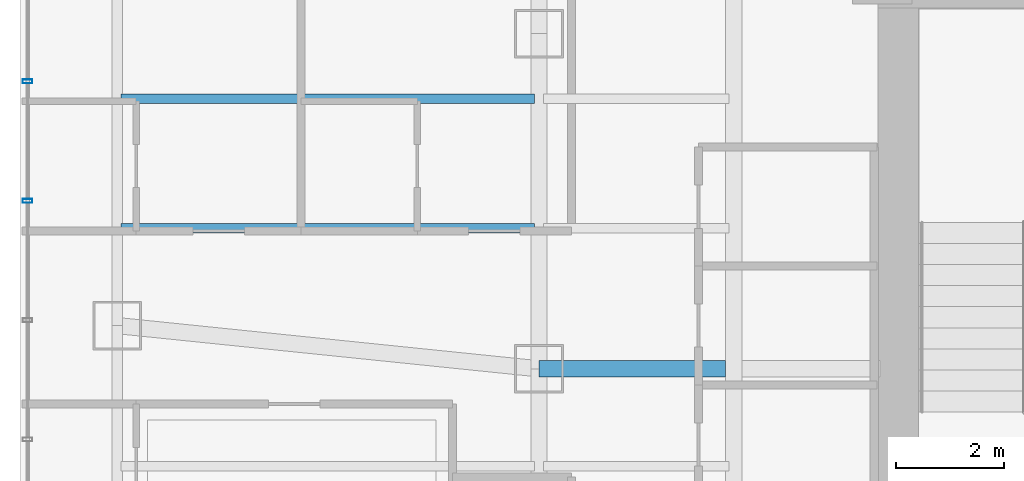
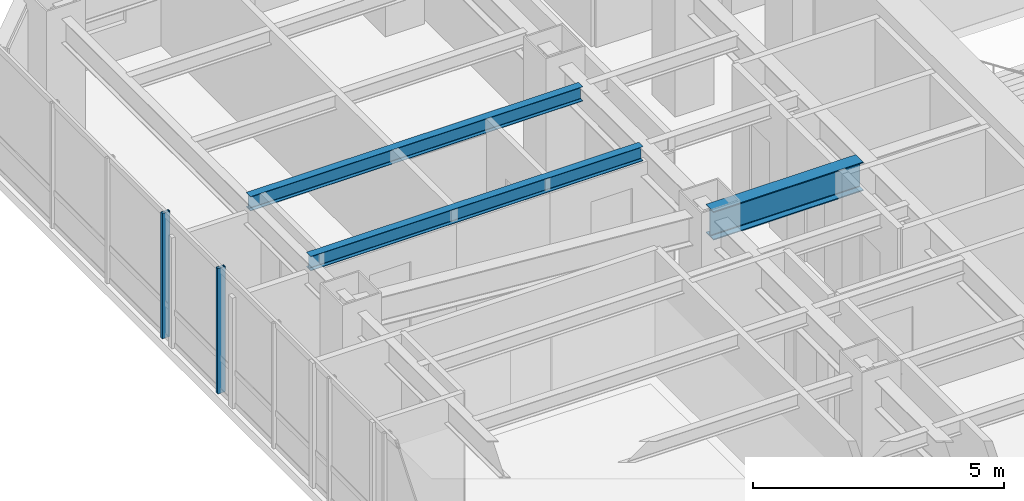
# One storey, part 21 of 36: 3 beams, 2 members, 1 element without a shape of its own.
"""IFC4 building model written with IfcOpenShell, lengths in metres."""

import ifcopenshell
import ifcopenshell.guid

model = None  # the IFC model being written
_history = None  # IfcOwnerHistory: only IFC2X3 demands one
_inside = {}  # id of a spatial element -> (the spatial element, [elements in it])
_under = {}  # id of a project, library or spatial element -> (it, [spatial elements below it])
_declared = {}  # id of a project -> (the project, [libraries it declares])
_typed = {}  # id of a type object -> (the type object, [elements of that type])
_made_of = {}  # id of a material, layer set ... -> (it, [elements and type objects made of it])


def new_model(schema):
    """Start an empty IFC model of exactly this schema.

    Asked for "IFC4X3", IfcOpenShell would pick the latest addendum, in which some entities
    have other attributes; the version numbers below select the first issue.
    IFC2X3 requires an IfcOwnerHistory on every rooted entity: one is made here for all.
    """
    global model, _history
    if schema == "IFC4X3":
        model = ifcopenshell.file(schema_version=(4, 3, 0, 0))
    else:
        model = ifcopenshell.file(schema=schema)
    _inside.clear()
    _under.clear()
    _declared.clear()
    _typed.clear()
    _made_of.clear()
    _history = None
    if model.schema == "IFC2X3":
        org = make("IfcOrganization", Name="unknown")
        user = make(
            "IfcPersonAndOrganization",
            ThePerson=make("IfcPerson", FamilyName="unknown"),
            TheOrganization=org,
        )
        app = make(
            "IfcApplication",
            ApplicationDeveloper=org,
            Version="unknown",
            ApplicationFullName="unknown",
            ApplicationIdentifier="unknown",
        )
        _history = make(
            "IfcOwnerHistory",
            OwningUser=user,
            OwningApplication=app,
            ChangeAction="ADDED",
            CreationDate=0,
        )
    return model


def make(cls, **values):
    """One entity of the class cls with the attributes given. An attribute that is None is left unset."""
    return model.create_entity(
        cls, **{name: value for name, value in values.items() if value is not None}
    )


def rooted(cls, **values):
    """An entity with a GlobalId (a new one), such as an element, a storey or a relation."""
    return make(cls, GlobalId=ifcopenshell.guid.new(), OwnerHistory=_history, **values)


def si_unit(unit_type, name, prefix=None):
    """IfcSIUnit, for example si_unit("LENGTHUNIT", "METRE", prefix="MILLI")."""
    return make("IfcSIUnit", UnitType=unit_type, Prefix=prefix, Name=name)


def assignment(units):
    """IfcUnitAssignment: the units of a project."""
    return None if units is None else make("IfcUnitAssignment", Units=units)


def point(xyz):
    """IfcCartesianPoint."""
    return None if xyz is None else make("IfcCartesianPoint", Coordinates=xyz)


def direction(xyz):
    """IfcDirection."""
    return None if xyz is None else make("IfcDirection", DirectionRatios=xyz)


def frame(location, z_axis=None, x_axis=None):
    """IfcAxis2Placement3D, a coordinate frame: its origin and axes. An axis left out is left unset."""
    return make(
        "IfcAxis2Placement3D",
        Location=point(location),
        Axis=direction(z_axis),
        RefDirection=direction(x_axis),
    )


def frame_2d(location, x_axis=None):
    """IfcAxis2Placement2D, a coordinate frame in the plane: its origin and x axis."""
    return make(
        "IfcAxis2Placement2D", Location=point(location), RefDirection=direction(x_axis)
    )


def origin():
    """The frame at (0, 0, 0) with its axes left unset."""
    return frame((0.0, 0.0, 0.0))


def origin_2d():
    """The frame at (0, 0) in the plane with its x axis left unset."""
    return frame_2d((0.0, 0.0))


def place(relative_to, where):
    """IfcLocalPlacement: puts the frame where relative to a parent placement (None: the world)."""
    return make(
        "IfcLocalPlacement", PlacementRelTo=relative_to, RelativePlacement=where
    )


def context(
    kind, dimensions, precision=None, world=None, true_north=None, identifier=None
):
    """IfcGeometricRepresentationContext, for example the 3D "Model" context."""
    return make(
        "IfcGeometricRepresentationContext",
        ContextIdentifier=identifier,
        ContextType=kind,
        CoordinateSpaceDimension=dimensions,
        Precision=precision,
        WorldCoordinateSystem=world,
        TrueNorth=true_north,
    )


def subcontext(parent, identifier, kind, view, scale=None):
    """IfcGeometricRepresentationSubContext, for example "Body" below "Model"."""
    return make(
        "IfcGeometricRepresentationSubContext",
        ContextIdentifier=identifier,
        ContextType=kind,
        ParentContext=parent,
        TargetScale=scale,
        TargetView=view,
    )


def project(units=None, contexts=None):
    """IfcProject with its units and contexts."""
    return rooted(
        "IfcProject",
        Name="project",
        RepresentationContexts=contexts,
        UnitsInContext=assignment(units),
    )


def spatial(cls, under=None, at=None, **own):
    """A site, building, storey or space (cls), placed at a placement, below another one or the project."""
    s = rooted(cls, ObjectPlacement=at, **own)
    if under is not None:
        _under.setdefault(under.id(), (under, []))[1].append(s)
    return s


def profile(cls, at=None, kind="AREA", **sizes):
    """A parametric profile (cls). Its sizes go by their IFC names, for example OverallWidth=200.0."""
    return make(cls, ProfileType=kind, Position=at, **sizes)


def hollow_rectangle(**sizes):
    """IfcRectangleHollowProfileDef."""
    return profile("IfcRectangleHollowProfileDef", **sizes)


def i_section(**sizes):
    """IfcIShapeProfileDef."""
    return profile("IfcIShapeProfileDef", **sizes)


def extrude(swept, where, along, depth):
    """IfcExtrudedAreaSolid: the profile swept, set in the frame where, extruded along a direction by depth."""
    return make(
        "IfcExtrudedAreaSolid",
        SweptArea=swept,
        Position=where,
        ExtrudedDirection=direction(along),
        Depth=depth,
    )


def shape(context_of_items, identifier, shape_type, items):
    """IfcShapeRepresentation: the items that make up one representation, for example the "Body"."""
    return make(
        "IfcShapeRepresentation",
        ContextOfItems=context_of_items,
        RepresentationIdentifier=identifier,
        RepresentationType=shape_type,
        Items=items,
    )


def material(Name=None, Category=None):
    """IfcMaterial."""
    return make("IfcMaterial", Name=Name, Category=Category)


def layer(
    of_material, thickness, ventilated=None, Name=None, Category=None, Priority=None
):
    """IfcMaterialLayer: one layer of a wall or slab, of a material (None: an air gap)."""
    return make(
        "IfcMaterialLayer",
        Material=of_material,
        LayerThickness=thickness,
        IsVentilated=ventilated,
        Name=Name,
        Category=Category,
        Priority=Priority,
    )


def layer_set(layers, Name=None):
    """IfcMaterialLayerSet."""
    return make("IfcMaterialLayerSet", MaterialLayers=layers, LayerSetName=Name)


def material_profile(
    of_material, cross_section, Name=None, Category=None, Priority=None
):
    """IfcMaterialProfile: a cross section and its material."""
    return make(
        "IfcMaterialProfile",
        Name=Name,
        Material=of_material,
        Profile=cross_section,
        Priority=Priority,
        Category=Category,
    )


def profile_set(profiles, Name=None, composite=None):
    """IfcMaterialProfileSet."""
    return make(
        "IfcMaterialProfileSet",
        Name=Name,
        MaterialProfiles=profiles,
        CompositeProfile=composite,
    )


def made_of(thing, what):
    """Note that an element or type object is made of a material, layer set ...; save() writes the relation."""
    if what is not None:
        _made_of.setdefault(what.id(), (what, []))[1].append(thing)
    return thing


def type_object(cls, material=None, **own):
    """A type object (cls), such as IfcWallType, which elements share."""
    return made_of(rooted(cls, **own), material)


def element(
    cls,
    number,
    at=None,
    inside=None,
    cuts=None,
    type_object=None,
    material=None,
    context=None,
    identifier="Body",
    shape_type=None,
    held_by="IfcProductDefinitionShape",
    body=None,
    shapes=None,
    **own,
):
    """One element of the class cls, such as IfcWall. Its Tag is "e" and its number.

    at: its placement. inside: the storey or other place that contains it. cuts: it is an
    opening in that element (IfcRelVoidsElement). A single representation is given by context,
    identifier, shape_type and body (its items); several are given by shapes. held_by: the class
    of the entity that holds the representations. save() writes the other relations.
    """
    e = rooted(cls, Tag="e%d" % number, ObjectPlacement=at, **own)
    if body is not None:
        shapes = [shape(context, identifier, shape_type, body)]
    if shapes is not None:
        e.Representation = make(held_by, Representations=shapes)
    if inside is not None:
        _inside.setdefault(inside.id(), (inside, []))[1].append(e)
    if cuts is not None:
        rooted(
            "IfcRelVoidsElement", RelatingBuildingElement=cuts, RelatedOpeningElement=e
        )
    if type_object is not None:
        _typed.setdefault(type_object.id(), (type_object, []))[1].append(e)
    return made_of(e, material)


def aggregate(whole, parts):
    """IfcRelAggregates: a whole, such as a stair, and the parts it consists of."""
    return rooted("IfcRelAggregates", RelatingObject=whole, RelatedObjects=parts)


def save(model, path):
    """Write the relations noted so far, then the file.

    IfcRelAggregates (storeys below a building ...), IfcRelContainedInSpatialStructure (elements
    in a storey), IfcRelDefinesByType, IfcRelAssociatesMaterial and IfcRelDeclares: one each for
    every whole, place, type object, material and project.
    """
    for whole, parts in _under.values():
        aggregate(whole, parts)
    for where, things in _inside.values():
        rooted(
            "IfcRelContainedInSpatialStructure",
            RelatedElements=things,
            RelatingStructure=where,
        )
    for kind, things in _typed.values():
        rooted("IfcRelDefinesByType", RelatedObjects=things, RelatingType=kind)
    for what, things in _made_of.values():
        rooted("IfcRelAssociatesMaterial", RelatedObjects=things, RelatingMaterial=what)
    for by, libraries in _declared.values():
        rooted("IfcRelDeclares", RelatingContext=by, RelatedDefinitions=libraries)
    model.write(path)


model = new_model("IFC4")

# Units and contexts
model_context = context("Model", 3, precision=1e-05, world=origin(), true_north=direction((0.0, 1.0)))
body_context = subcontext(model_context, "Body", "Model", "MODEL_VIEW")
ifc_project = project(units=[si_unit("LENGTHUNIT", "METRE"), si_unit("AREAUNIT", "SQUARE_METRE"), si_unit("VOLUMEUNIT", "CUBIC_METRE"), si_unit("PLANEANGLEUNIT", "RADIAN"), si_unit("MASSUNIT", "GRAM", prefix="KILO")], contexts=[model_context])

# Site, building, storey
site_placement = place(None, origin())
site = spatial("IfcSite", under=ifc_project, at=site_placement, CompositionType="ELEMENT")
building_placement = place(site_placement, origin())
building = spatial("IfcBuilding", under=site, at=building_placement, Name="Hatsunagi Terrace Concourse", CompositionType="ELEMENT")
storey_placement = place(building_placement, frame((0.0, 0.0, 88.0)))
storey = spatial("IfcBuildingStorey", under=building, at=storey_placement, Name="L23", CompositionType="ELEMENT", Elevation=88.0)

# Curtain wall, members
ifc_material_1 = material(Name="Anodised Aluminium Alloy 6063-T5", Category="aluminium")
ifc_layer = layer(ifc_material_1, 0.199951171875)
ifc_layer_set = layer_set([ifc_layer], Name="HotelFacade_CW02")
curtain_wall_type = type_object("IfcCurtainWallType", Name="HotelFacade_CW02", PredefinedType="NOTDEFINED", material=ifc_layer_set)
curtain_wall_placement = place(storey_placement, origin())
curtain_wall = element("IfcCurtainWall", 1, at=curtain_wall_placement, inside=storey, type_object=curtain_wall_type, Name="Unitised Curtain Wall CW-02 CW-L23-09", PredefinedType="NOTDEFINED")
ifc_material_2 = material(Name="Anodised Aluminium Alloy 6063-T5", Category="aluminium")
ifc_material_profile_1 = material_profile(ifc_material_2, hollow_rectangle(XDim=0.070068359375, YDim=0.179931640625, WallThickness=0.00390625, at=origin_2d()), Name="ALU-MUL-180x70x4")
ifc_profile_set_1 = profile_set([ifc_material_profile_1], Name="Anodised Aluminium Alloy 6063-T5")
member_type = type_object("IfcMemberType", Name="CurtainWallMullion_180x70", PredefinedType="MULLION", material=ifc_profile_set_1)
member_1_placement = place(storey_placement, frame((9.739990234375, 39.10791015625, 0.0), z_axis=(0.0, 0.0, 1.0), x_axis=(0.0, 1.0, 0.0)))
member_1 = element("IfcMember", 2, at=member_1_placement, type_object=member_type, Name="Curtain Wall Mullion MUL-02", PredefinedType="MULLION", context=body_context, shape_type="SweptSolid", body=[
    extrude(hollow_rectangle(XDim=0.070068359375, YDim=0.179931640625, WallThickness=0.00390625, at=origin_2d()), origin(), (0.0, 0.0, 1.0), 3.050048828125),
])
member_2_placement = place(storey_placement, frame((9.739990234375, 41.31689453125, 0.0), z_axis=(0.0, 0.0, 1.0), x_axis=(0.0, 1.0, 0.0)))
member_2 = element("IfcMember", 3, at=member_2_placement, type_object=member_type, Name="Curtain Wall Mullion MUL-02", PredefinedType="MULLION", context=body_context, shape_type="SweptSolid", body=[
    extrude(hollow_rectangle(XDim=0.070068359375, YDim=0.179931640625, WallThickness=0.00390625, at=origin_2d()), origin(), (0.0, 0.0, 1.0), 3.050048828125),
])
aggregate(curtain_wall, [member_1, member_2])

# Beams
ifc_material_3 = material(Name="Steel SN490B", Category="steel")
ifc_material_profile_2 = material_profile(ifc_material_3, i_section(OverallWidth=0.300048828125, OverallDepth=0.699951171875, WebThickness=0.012939453125, FlangeThickness=0.02392578125, FilletRadius=0.02197265625, at=origin_2d()), Name="H-700x300x13x24")
ifc_profile_set_2 = profile_set([ifc_material_profile_2], Name="Steel SN490B")
beam_type_1 = type_object("IfcBeamType", Name="HotelFloorGirder_H_700x300", PredefinedType="BEAM", material=ifc_profile_set_2)
beam_placement = place(storey_placement, frame((19.199951171875, 36.0, 2.699951171875), z_axis=(1.0, 0.0, 0.0), x_axis=(0.0, 1.0, 0.0)))
element("IfcBeam", 4, at=beam_placement, inside=storey, type_object=beam_type_1, Name="Beam G-04 BM-L23-EW-3", PredefinedType="BEAM", context=body_context, shape_type="SweptSolid", body=[
    extrude(i_section(OverallWidth=0.300048828125, OverallDepth=0.699951171875, WebThickness=0.012939453125, FlangeThickness=0.02392578125, FilletRadius=0.02197265625, at=origin_2d()), origin(), (0.0, 0.0, 1.0), 3.449951171875),
])
ifc_material_4 = material(Name="Steel SN490B", Category="steel")
ifc_material_profile_3 = material_profile(ifc_material_4, i_section(OverallWidth=0.175048828125, OverallDepth=0.35009765625, WebThickness=0.007080078125, FlangeThickness=0.010986328125, FilletRadius=0.012939453125, at=origin_2d()), Name="H-350x175x7x11")
ifc_profile_set_3 = profile_set([ifc_material_profile_3], Name="Steel SN490B")
beam_type_2 = type_object("IfcBeamType", Name="HotelJoist_H_350x175", PredefinedType="JOIST", material=ifc_profile_set_3)
for number, where, z_axis, x_axis, name in (
    (5, (11.465087890625, 38.60009765625, 2.875), (1.0, 0.0, 0.0), (0.0, 1.0, 0.0), "Beam J-02 J-L23-W-11-386"),
    (6, (11.465087890625, 41.0, 2.875), (1.0, 0.0, 0.0), (0.0, 1.0, 0.0), "Beam J-02 J-L23-W-11-410"),
):
    element("IfcBeam", number, at=place(storey_placement, frame(where, z_axis=z_axis, x_axis=x_axis)), inside=storey, type_object=beam_type_2, Name=name, PredefinedType="JOIST", context=body_context, shape_type="SweptSolid", body=[
        extrude(i_section(OverallWidth=0.175048828125, OverallDepth=0.35009765625, WebThickness=0.007080078125, FlangeThickness=0.010986328125, FilletRadius=0.012939453125, at=origin_2d()), origin(), (0.0, 0.0, 1.0), 7.64990234375),
    ])

save(model, "model.ifc")
